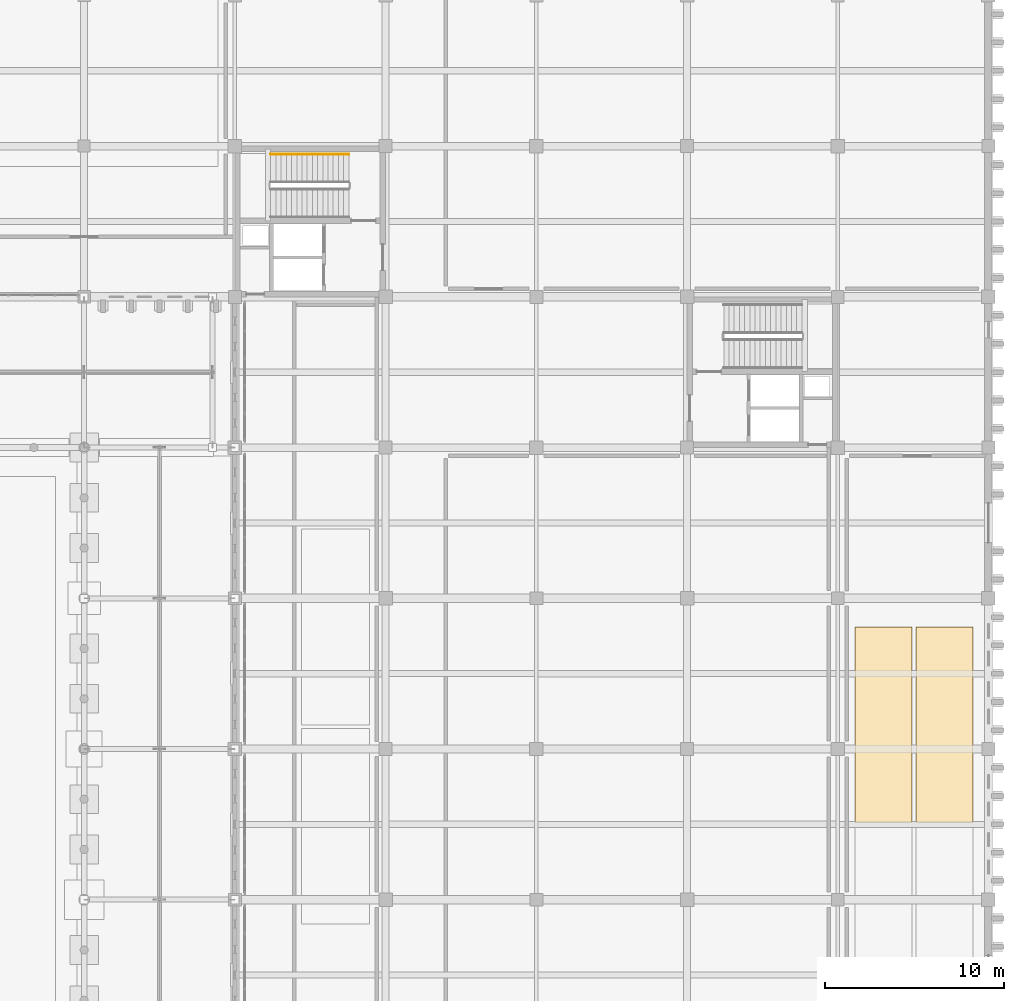
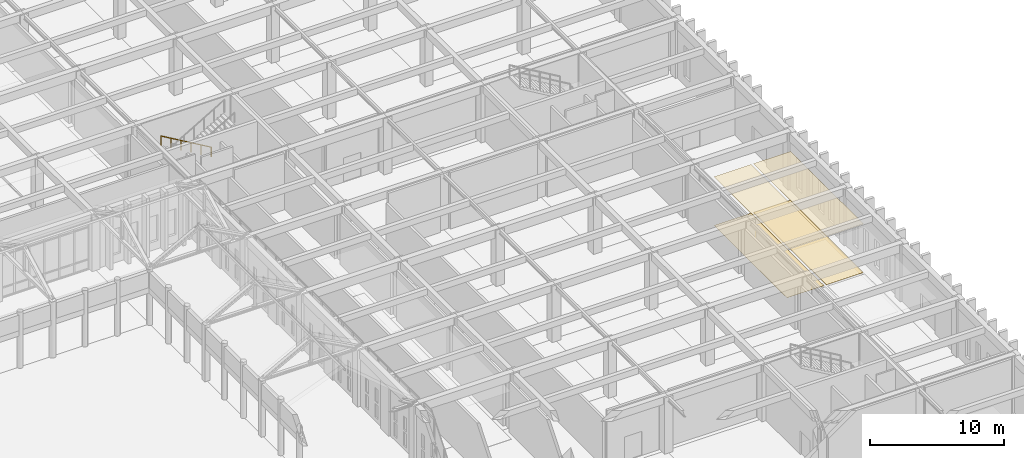
# One storey, part 143 of 143: 4 coverings, 1 railing.
"""IFC4 building model written with IfcOpenShell, lengths in metres."""

from ifc_helpers import new_model, si_unit, direction, frame, origin, origin_2d, place, context, subcontext, project, spatial, rectangle, circle, extrude, material, layer, layer_set, type_object, element, save


model = new_model("IFC4")

# Units and contexts
model_context = context("Model", 3, precision=1e-05, world=origin(), true_north=direction((0.0, 1.0)))
body_context = subcontext(model_context, "Body", "Model", "MODEL_VIEW")
ifc_project = project(units=[si_unit("LENGTHUNIT", "METRE"), si_unit("AREAUNIT", "SQUARE_METRE"), si_unit("VOLUMEUNIT", "CUBIC_METRE"), si_unit("PLANEANGLEUNIT", "RADIAN"), si_unit("MASSUNIT", "GRAM", prefix="KILO")], contexts=[model_context])

# Site, building, storey
site_placement = place(None, origin())
site = spatial("IfcSite", under=ifc_project, at=site_placement, CompositionType="ELEMENT")
building_placement = place(site_placement, origin())
building = spatial("IfcBuilding", under=site, at=building_placement, Name="Kveldsbrygga Polytechnic", CompositionType="ELEMENT")
storey_placement = place(building_placement, origin())
storey = spatial("IfcBuildingStorey", under=building, at=storey_placement, Name="L00", CompositionType="ELEMENT", Elevation=0.0)

# Coverings
ifc_material_1 = material(Name="Acoustic mineral baffle ceiling")
ifc_layer_1 = layer(ifc_material_1, 0.030029296875)
ifc_layer_set_1 = layer_set([ifc_layer_1], Name="Acoustic mineral baffle ceiling")
covering_type_1 = type_object("IfcCoveringType", Name="COV-CEIL-AC30", PredefinedType="CEILING", material=ifc_layer_set_1)
for number, where, z_axis, x_axis, name in (
    (1, (162.14990234375, 60.14990234375, 4.43017578125), (0.0, 0.0, 1.0), (1.0, 0.0, 0.0), "Acoustic Ceiling SP-L00-LAB2-WN"),
    (2, (165.550048828125, 60.14990234375, 4.43017578125), (0.0, 0.0, 1.0), (1.0, 0.0, 0.0), "Acoustic Ceiling SP-L00-LAB2-EN"),
):
    element("IfcCovering", number, at=place(storey_placement, frame(where, z_axis=z_axis, x_axis=x_axis)), inside=storey, type_object=covering_type_1, Name=name, PredefinedType="CEILING", context=body_context, shape_type="SweptSolid", body=[
        extrude(rectangle(XDim=3.199951171875, YDim=10.89990234375, at=origin_2d()), origin(), (0.0, 0.0, 1.0), 0.030029296875),
    ])
ifc_material_2 = material(Name="Heavy-duty quartz-filled epoxy resin flooring")
ifc_layer_2 = layer(ifc_material_2, 0.014892578125)
ifc_layer_set_2 = layer_set([ifc_layer_2], Name="Heavy-duty quartz-filled epoxy resin flooring")
covering_type_2 = type_object("IfcCoveringType", Name="COV-FLR-EPX15", PredefinedType="FLOORING", material=ifc_layer_set_2)
for number, where, z_axis, x_axis, name in (
    (3, (162.14990234375, 60.14990234375, 0.0), (0.0, 0.0, 1.0), (1.0, 0.0, 0.0), "Room Flooring SP-L00-LAB2-WN"),
    (4, (165.550048828125, 60.14990234375, 0.0), (0.0, 0.0, 1.0), (1.0, 0.0, 0.0), "Room Flooring SP-L00-LAB2-EN"),
):
    element("IfcCovering", number, at=place(storey_placement, frame(where, z_axis=z_axis, x_axis=x_axis)), inside=storey, type_object=covering_type_2, Name=name, PredefinedType="FLOORING", context=body_context, shape_type="SweptSolid", body=[
        extrude(rectangle(XDim=3.199951171875, YDim=10.89990234375, at=origin_2d()), origin(), (0.0, 0.0, 1.0), 0.014892578125),
    ])

# Railing
ifc_material_3 = material(Name="Steel S355", Category="steel")
railing_type = type_object("IfcRailingType", Name="RL-STAIR-HND", PredefinedType="HANDRAIL", material=ifc_material_3)
railing_placement = place(storey_placement, frame((132.35009765625, 91.949951171875, 0.169921875)))
element("IfcRailing", 5, at=railing_placement, inside=storey, type_object=railing_type, Name="L00 ST-2 stair handrail 1", PredefinedType="HANDRAIL", context=body_context, shape_type="SweptSolid", body=[
    extrude(circle(Radius=0.02392578125, at=origin_2d()), frame((0.0, 0.0, 0.8759765625), z_axis=(-0.862698698498, 0.0, 0.505718257145), x_axis=(0.0, -1.0, 0.0)), (0.0, 0.0, 1.0), 5.04248046875),
    extrude(circle(Radius=0.02099609375, at=origin_2d()), origin(), (0.0, 0.0, 1.0), 0.847900390625),
    extrude(circle(Radius=0.02099609375, at=origin_2d()), frame((-0.8701171875, 0.0, 0.510009765625)), (0.0, 0.0, 1.0), 0.847900390625),
    extrude(circle(Radius=0.02099609375, at=origin_2d()), frame((-1.739990234375, 0.0, 1.02001953125)), (0.0, 0.0, 1.0), 0.847900390625),
    extrude(circle(Radius=0.02099609375, at=origin_2d()), frame((-2.610107421875, 0.0, 1.530029296875)), (0.0, 0.0, 1.0), 0.847900390625),
    extrude(circle(Radius=0.02099609375, at=origin_2d()), frame((-3.47998046875, 0.0, 2.0400390625)), (0.0, 0.0, 1.0), 0.847900390625),
    extrude(circle(Radius=0.02099609375, at=origin_2d()), frame((-4.35009765625, 0.0, 2.550048828125)), (0.0, 0.0, 1.0), 0.847900390625),
])

save(model, "model.ifc")
